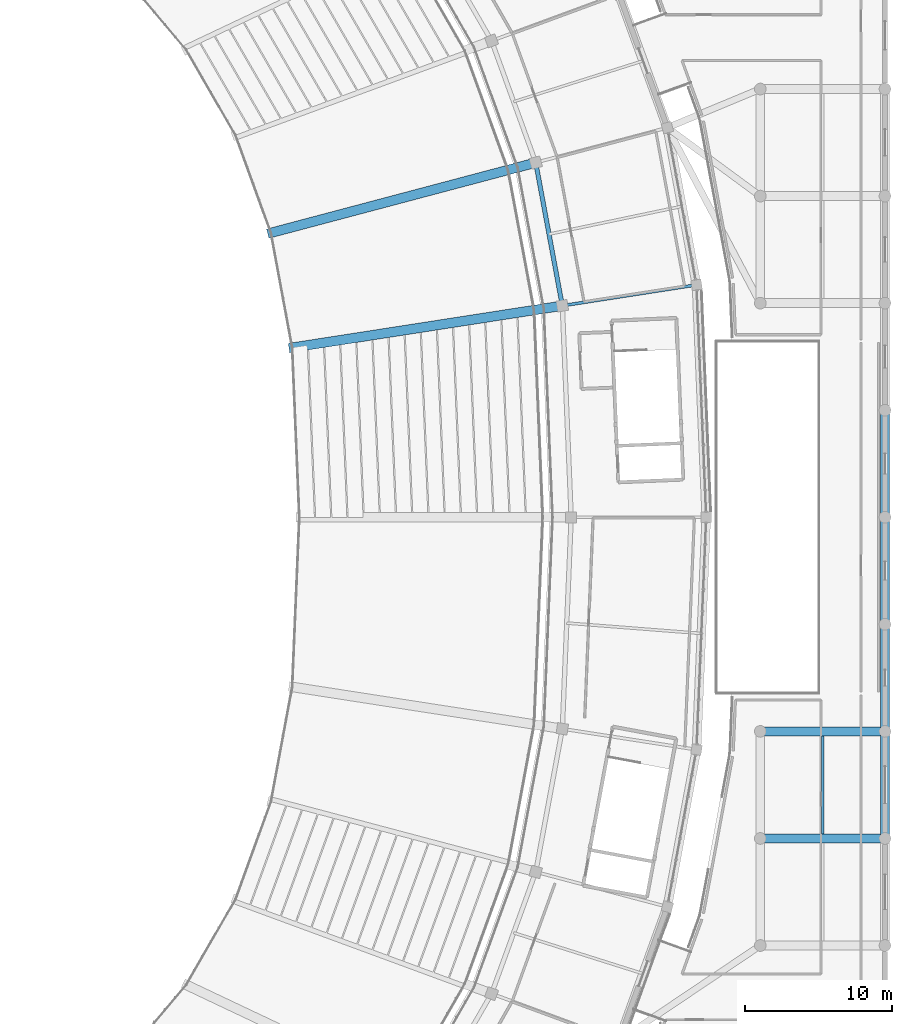
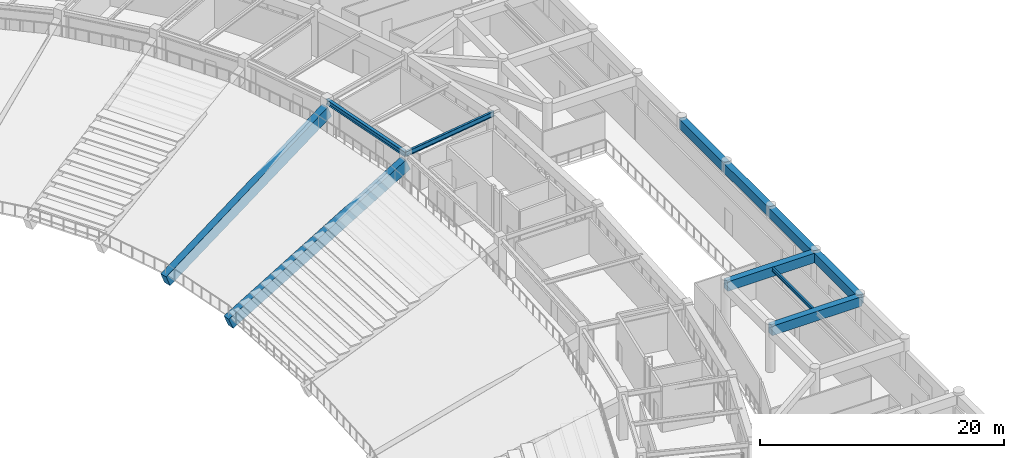
# One storey, part 47 of 137: 11 beams.
"""IFC4 building model written with IfcOpenShell, lengths in metres."""

import ifcopenshell
import ifcopenshell.guid

model = None  # the IFC model being written
_history = None  # IfcOwnerHistory: only IFC2X3 demands one
_inside = {}  # id of a spatial element -> (the spatial element, [elements in it])
_under = {}  # id of a project, library or spatial element -> (it, [spatial elements below it])
_declared = {}  # id of a project -> (the project, [libraries it declares])
_typed = {}  # id of a type object -> (the type object, [elements of that type])
_made_of = {}  # id of a material, layer set ... -> (it, [elements and type objects made of it])


def new_model(schema):
    """Start an empty IFC model of exactly this schema.

    Asked for "IFC4X3", IfcOpenShell would pick the latest addendum, in which some entities
    have other attributes; the version numbers below select the first issue.
    IFC2X3 requires an IfcOwnerHistory on every rooted entity: one is made here for all.
    """
    global model, _history
    if schema == "IFC4X3":
        model = ifcopenshell.file(schema_version=(4, 3, 0, 0))
    else:
        model = ifcopenshell.file(schema=schema)
    _inside.clear()
    _under.clear()
    _declared.clear()
    _typed.clear()
    _made_of.clear()
    _history = None
    if model.schema == "IFC2X3":
        org = make("IfcOrganization", Name="unknown")
        user = make(
            "IfcPersonAndOrganization",
            ThePerson=make("IfcPerson", FamilyName="unknown"),
            TheOrganization=org,
        )
        app = make(
            "IfcApplication",
            ApplicationDeveloper=org,
            Version="unknown",
            ApplicationFullName="unknown",
            ApplicationIdentifier="unknown",
        )
        _history = make(
            "IfcOwnerHistory",
            OwningUser=user,
            OwningApplication=app,
            ChangeAction="ADDED",
            CreationDate=0,
        )
    return model


def make(cls, **values):
    """One entity of the class cls with the attributes given. An attribute that is None is left unset."""
    return model.create_entity(
        cls, **{name: value for name, value in values.items() if value is not None}
    )


def rooted(cls, **values):
    """An entity with a GlobalId (a new one), such as an element, a storey or a relation."""
    return make(cls, GlobalId=ifcopenshell.guid.new(), OwnerHistory=_history, **values)


def si_unit(unit_type, name, prefix=None):
    """IfcSIUnit, for example si_unit("LENGTHUNIT", "METRE", prefix="MILLI")."""
    return make("IfcSIUnit", UnitType=unit_type, Prefix=prefix, Name=name)


def assignment(units):
    """IfcUnitAssignment: the units of a project."""
    return None if units is None else make("IfcUnitAssignment", Units=units)


def point(xyz):
    """IfcCartesianPoint."""
    return None if xyz is None else make("IfcCartesianPoint", Coordinates=xyz)


def direction(xyz):
    """IfcDirection."""
    return None if xyz is None else make("IfcDirection", DirectionRatios=xyz)


def frame(location, z_axis=None, x_axis=None):
    """IfcAxis2Placement3D, a coordinate frame: its origin and axes. An axis left out is left unset."""
    return make(
        "IfcAxis2Placement3D",
        Location=point(location),
        Axis=direction(z_axis),
        RefDirection=direction(x_axis),
    )


def frame_2d(location, x_axis=None):
    """IfcAxis2Placement2D, a coordinate frame in the plane: its origin and x axis."""
    return make(
        "IfcAxis2Placement2D", Location=point(location), RefDirection=direction(x_axis)
    )


def origin():
    """The frame at (0, 0, 0) with its axes left unset."""
    return frame((0.0, 0.0, 0.0))


def origin_2d():
    """The frame at (0, 0) in the plane with its x axis left unset."""
    return frame_2d((0.0, 0.0))


def place(relative_to, where):
    """IfcLocalPlacement: puts the frame where relative to a parent placement (None: the world)."""
    return make(
        "IfcLocalPlacement", PlacementRelTo=relative_to, RelativePlacement=where
    )


def context(
    kind, dimensions, precision=None, world=None, true_north=None, identifier=None
):
    """IfcGeometricRepresentationContext, for example the 3D "Model" context."""
    return make(
        "IfcGeometricRepresentationContext",
        ContextIdentifier=identifier,
        ContextType=kind,
        CoordinateSpaceDimension=dimensions,
        Precision=precision,
        WorldCoordinateSystem=world,
        TrueNorth=true_north,
    )


def subcontext(parent, identifier, kind, view, scale=None):
    """IfcGeometricRepresentationSubContext, for example "Body" below "Model"."""
    return make(
        "IfcGeometricRepresentationSubContext",
        ContextIdentifier=identifier,
        ContextType=kind,
        ParentContext=parent,
        TargetScale=scale,
        TargetView=view,
    )


def project(units=None, contexts=None):
    """IfcProject with its units and contexts."""
    return rooted(
        "IfcProject",
        Name="project",
        RepresentationContexts=contexts,
        UnitsInContext=assignment(units),
    )


def spatial(cls, under=None, at=None, **own):
    """A site, building, storey or space (cls), placed at a placement, below another one or the project."""
    s = rooted(cls, ObjectPlacement=at, **own)
    if under is not None:
        _under.setdefault(under.id(), (under, []))[1].append(s)
    return s


def profile(cls, at=None, kind="AREA", **sizes):
    """A parametric profile (cls). Its sizes go by their IFC names, for example OverallWidth=200.0."""
    return make(cls, ProfileType=kind, Position=at, **sizes)


def rectangle(**sizes):
    """IfcRectangleProfileDef."""
    return profile("IfcRectangleProfileDef", **sizes)


def i_section(**sizes):
    """IfcIShapeProfileDef."""
    return profile("IfcIShapeProfileDef", **sizes)


def extrude(swept, where, along, depth):
    """IfcExtrudedAreaSolid: the profile swept, set in the frame where, extruded along a direction by depth."""
    return make(
        "IfcExtrudedAreaSolid",
        SweptArea=swept,
        Position=where,
        ExtrudedDirection=direction(along),
        Depth=depth,
    )


def shape(context_of_items, identifier, shape_type, items):
    """IfcShapeRepresentation: the items that make up one representation, for example the "Body"."""
    return make(
        "IfcShapeRepresentation",
        ContextOfItems=context_of_items,
        RepresentationIdentifier=identifier,
        RepresentationType=shape_type,
        Items=items,
    )


def material(Name=None, Category=None):
    """IfcMaterial."""
    return make("IfcMaterial", Name=Name, Category=Category)


def material_profile(
    of_material, cross_section, Name=None, Category=None, Priority=None
):
    """IfcMaterialProfile: a cross section and its material."""
    return make(
        "IfcMaterialProfile",
        Name=Name,
        Material=of_material,
        Profile=cross_section,
        Priority=Priority,
        Category=Category,
    )


def profile_set(profiles, Name=None, composite=None):
    """IfcMaterialProfileSet."""
    return make(
        "IfcMaterialProfileSet",
        Name=Name,
        MaterialProfiles=profiles,
        CompositeProfile=composite,
    )


def made_of(thing, what):
    """Note that an element or type object is made of a material, layer set ...; save() writes the relation."""
    if what is not None:
        _made_of.setdefault(what.id(), (what, []))[1].append(thing)
    return thing


def type_object(cls, material=None, **own):
    """A type object (cls), such as IfcWallType, which elements share."""
    return made_of(rooted(cls, **own), material)


def element(
    cls,
    number,
    at=None,
    inside=None,
    cuts=None,
    type_object=None,
    material=None,
    context=None,
    identifier="Body",
    shape_type=None,
    held_by="IfcProductDefinitionShape",
    body=None,
    shapes=None,
    **own,
):
    """One element of the class cls, such as IfcWall. Its Tag is "e" and its number.

    at: its placement. inside: the storey or other place that contains it. cuts: it is an
    opening in that element (IfcRelVoidsElement). A single representation is given by context,
    identifier, shape_type and body (its items); several are given by shapes. held_by: the class
    of the entity that holds the representations. save() writes the other relations.
    """
    e = rooted(cls, Tag="e%d" % number, ObjectPlacement=at, **own)
    if body is not None:
        shapes = [shape(context, identifier, shape_type, body)]
    if shapes is not None:
        e.Representation = make(held_by, Representations=shapes)
    if inside is not None:
        _inside.setdefault(inside.id(), (inside, []))[1].append(e)
    if cuts is not None:
        rooted(
            "IfcRelVoidsElement", RelatingBuildingElement=cuts, RelatedOpeningElement=e
        )
    if type_object is not None:
        _typed.setdefault(type_object.id(), (type_object, []))[1].append(e)
    return made_of(e, material)


def aggregate(whole, parts):
    """IfcRelAggregates: a whole, such as a stair, and the parts it consists of."""
    return rooted("IfcRelAggregates", RelatingObject=whole, RelatedObjects=parts)


def save(model, path):
    """Write the relations noted so far, then the file.

    IfcRelAggregates (storeys below a building ...), IfcRelContainedInSpatialStructure (elements
    in a storey), IfcRelDefinesByType, IfcRelAssociatesMaterial and IfcRelDeclares: one each for
    every whole, place, type object, material and project.
    """
    for whole, parts in _under.values():
        aggregate(whole, parts)
    for where, things in _inside.values():
        rooted(
            "IfcRelContainedInSpatialStructure",
            RelatedElements=things,
            RelatingStructure=where,
        )
    for kind, things in _typed.values():
        rooted("IfcRelDefinesByType", RelatedObjects=things, RelatingType=kind)
    for what, things in _made_of.values():
        rooted("IfcRelAssociatesMaterial", RelatedObjects=things, RelatingMaterial=what)
    for by, libraries in _declared.values():
        rooted("IfcRelDeclares", RelatingContext=by, RelatedDefinitions=libraries)
    model.write(path)


model = new_model("IFC4")

# Units and contexts
model_context = context("Model", 3, precision=1e-05, world=origin(), true_north=direction((0.0, 1.0)))
body_context = subcontext(model_context, "Body", "Model", "MODEL_VIEW")
ifc_project = project(units=[si_unit("LENGTHUNIT", "METRE"), si_unit("AREAUNIT", "SQUARE_METRE"), si_unit("VOLUMEUNIT", "CUBIC_METRE"), si_unit("PLANEANGLEUNIT", "RADIAN"), si_unit("MASSUNIT", "GRAM", prefix="KILO")], contexts=[model_context])

# Site, building, storey
site_placement = place(None, origin())
site = spatial("IfcSite", under=ifc_project, at=site_placement, CompositionType="ELEMENT")
building_placement = place(site_placement, origin())
building = spatial("IfcBuilding", under=site, at=building_placement, Name="Mphavela Belvedere Stadium", CompositionType="ELEMENT")
storey_placement = place(building_placement, frame((0.0, 0.0, 19.199951171875)))
storey = spatial("IfcBuildingStorey", under=building, at=storey_placement, Name="L04", CompositionType="ELEMENT", Elevation=19.199951171875)

# Beams
ifc_material_1 = material(Name="Concrete C40/50", Category="concrete")
ifc_material_profile_1 = material_profile(ifc_material_1, rectangle(XDim=0.60009765625, YDim=0.949951171875, at=origin_2d()), Name="RC 600x950")
ifc_profile_set_1 = profile_set([ifc_material_profile_1], Name="Concrete C40/50")
beam_type_1 = type_object("IfcBeamType", Name="BM-ENTABLATURE-950", PredefinedType="SPANDREL", material=ifc_profile_set_1)
for number, where, z_axis, x_axis, name in (
    (1, (221.5, 65.10009765625, 4.06494140625), (1.0, 0.0, 0.0), (0.0, 1.0, 0.0), "East Planted Eaves Peristyle Colonnade entablature beam X L04 8-3"),
    (2, (221.5, 72.39990234375, 4.06494140625), (1.0, 0.0, 0.0), (0.0, 1.0, 0.0), "East Planted Eaves Peristyle Colonnade entablature beam X L04 8-4"),
):
    element("IfcBeam", number, at=place(storey_placement, frame(where, z_axis=z_axis, x_axis=x_axis)), inside=storey, type_object=beam_type_1, Name=name, PredefinedType="SPANDREL", context=body_context, shape_type="SweptSolid", body=[
        extrude(rectangle(XDim=0.60009765625, YDim=0.949951171875, at=origin_2d()), origin(), (0.0, 0.0, 1.0), 8.5),
    ])
beam_1_placement = place(storey_placement, frame((230.0, 65.10009765625, 4.06494140625), z_axis=(0.0, 1.0, 0.0), x_axis=(-1.0, 0.0, 0.0)))
element("IfcBeam", 3, at=beam_1_placement, inside=storey, type_object=beam_type_1, Name="East Planted Eaves Peristyle Colonnade entablature beam Y L04 9-3", PredefinedType="SPANDREL", context=body_context, shape_type="SweptSolid", body=[
    extrude(rectangle(XDim=0.60009765625, YDim=0.949951171875, at=origin_2d()), origin(), (0.0, 0.0, 1.0), 7.2998046875),
])
for number, where, z_axis, x_axis, name in (
    (4, (230.0, 72.39990234375, 4.06494140625), (0.0, 1.0, 0.0), (-1.0, 0.0, 0.0), "East Planted Eaves Peristyle Colonnade entablature beam Y L04 9-4"),
    (5, (230.0, 79.699951171875, 4.06494140625), (0.0, 1.0, 0.0), (-1.0, 0.0, 0.0), "East Planted Eaves Peristyle Colonnade entablature beam Y L04 9-5"),
    (6, (230.0, 87.0, 4.06494140625), (0.0, 1.0, 0.0), (-1.0, 0.0, 0.0), "East Planted Eaves Peristyle Colonnade entablature beam Y L04 9-6"),
):
    element("IfcBeam", number, at=place(storey_placement, frame(where, z_axis=z_axis, x_axis=x_axis)), inside=storey, type_object=beam_type_1, Name=name, PredefinedType="SPANDREL", context=body_context, shape_type="SweptSolid", body=[
        extrude(rectangle(XDim=0.60009765625, YDim=0.949951171875, at=origin_2d()), origin(), (0.0, 0.0, 1.0), 7.300048828125),
    ])
ifc_material_2 = material(Name="Steel S355", Category="steel")
ifc_material_profile_2 = material_profile(ifc_material_2, i_section(OverallWidth=0.169921875, OverallDepth=0.360107421875, WebThickness=0.008056640625, FlangeThickness=0.0126953125, at=origin_2d()), Name="IPE 360")
ifc_profile_set_2 = profile_set([ifc_material_profile_2], Name="Steel S355")
beam_type_2 = type_object("IfcBeamType", Name="BM-JOIST-IPE360", PredefinedType="JOIST", material=ifc_profile_set_2)
beam_2_placement = place(storey_placement, frame((225.75, 65.39990234375, 4.360107421875), z_axis=(0.0, 1.0, 0.0), x_axis=(-1.0, 0.0, 0.0)))
element("IfcBeam", 7, at=beam_2_placement, inside=storey, type_object=beam_type_2, Name="East Planted Eaves Peristyle Colonnade secondary joist L04 8-3", PredefinedType="JOIST", context=body_context, shape_type="SweptSolid", body=[
    extrude(i_section(OverallWidth=0.169921875, OverallDepth=0.360107421875, WebThickness=0.008056640625, FlangeThickness=0.0126953125, at=origin_2d()), origin(), (0.0, 0.0, 1.0), 6.7001953125),
])
ifc_material_3 = material(Name="Precast concrete C45/55", Category="concrete")
ifc_material_profile_3 = material_profile(ifc_material_3, rectangle(XDim=0.64990234375, YDim=1.199951171875, at=origin_2d()), Name="PC 650x1200")
ifc_profile_set_3 = profile_set([ifc_material_profile_3], Name="Precast concrete C45/55")
beam_type_3 = type_object("IfcBeamType", Name="BM-RAKER-UPPER", PredefinedType="USERDEFINED", material=ifc_profile_set_3)
beam_3_placement = place(storey_placement, frame((189.5927734375, 98.56982421875, -4.349853515625), z_axis=(0.912368182234, 0.141509277986, 0.38413464344), x_axis=(-0.153268482759, 0.98818458407, 0.0)))
element("IfcBeam", 8, at=beam_3_placement, inside=storey, type_object=beam_type_3, Name="Upper tier precast cantilever raker beam RK-U-02", ObjectType="RAKER BEAM", PredefinedType="USERDEFINED", context=body_context, shape_type="SweptSolid", body=[
    extrude(rectangle(XDim=0.64990234375, YDim=1.199951171875, at=origin_2d()), origin(), (0.0, 0.0, 1.0), 20.17529296875),
])
beam_4_placement = place(storey_placement, frame((188.13916015625, 106.3955078125, -4.349853515625), z_axis=(0.892744637737, 0.236753762179, 0.383346668024), x_axis=(-0.256336726267, 0.96658754532, 0.0)))
element("IfcBeam", 9, at=beam_4_placement, inside=storey, type_object=beam_type_3, Name="Upper tier precast cantilever raker beam RK-U-03", ObjectType="RAKER BEAM", PredefinedType="USERDEFINED", context=body_context, shape_type="SweptSolid", body=[
    extrude(rectangle(XDim=0.64990234375, YDim=1.199951171875, at=origin_2d()), origin(), (0.0, 0.0, 1.0), 20.216796875),
])
ifc_material_4 = material(Name="Steel S355", Category="steel")
ifc_material_profile_4 = material_profile(ifc_material_4, i_section(OverallWidth=0.300048828125, OverallDepth=0.489990234375, WebThickness=0.011962890625, FlangeThickness=0.02294921875, at=origin_2d()), Name="HEA 500")
ifc_profile_set_4 = profile_set([ifc_material_profile_4], Name="Steel S355")
beam_type_4 = type_object("IfcBeamType", Name="BM-STEEL-HEA500", PredefinedType="BEAM", material=ifc_profile_set_4)
beam_5_placement = place(storey_placement, frame((208.0, 101.4248046875, 4.304931640625), z_axis=(-0.182638056683, 0.983180217585, 0.0), x_axis=(-0.983180217585, -0.182638056683, 0.0)))
element("IfcBeam", 10, at=beam_5_placement, inside=storey, type_object=beam_type_4, Name="Circumferential girder L04 R3-02", PredefinedType="BEAM", context=body_context, shape_type="SweptSolid", body=[
    extrude(i_section(OverallWidth=0.300048828125, OverallDepth=0.489990234375, WebThickness=0.011962890625, FlangeThickness=0.02294921875, at=origin_2d()), origin(), (0.0, 0.0, 1.0), 9.924072265625),
])
ifc_material_5 = material(Name="Steel S355", Category="steel")
ifc_material_profile_5 = material_profile(ifc_material_5, i_section(OverallWidth=0.199951171875, OverallDepth=0.5, WebThickness=0.01025390625, FlangeThickness=0.01611328125, at=origin_2d()), Name="IPE 500")
ifc_profile_set_5 = profile_set([ifc_material_profile_5], Name="Steel S355")
beam_type_5 = type_object("IfcBeamType", Name="BM-STEEL-IPE500", PredefinedType="BEAM", material=ifc_profile_set_5)
beam_6_placement = place(storey_placement, frame((208.0, 101.4248046875, 4.300048828125), z_axis=(0.988182369303, 0.153282761586, 0.0), x_axis=(-0.153282761586, 0.988182369303, 0.0)))
element("IfcBeam", 11, at=beam_6_placement, inside=storey, type_object=beam_type_5, Name="Radial concourse girder L04 R3R4-02", PredefinedType="BEAM", context=body_context, shape_type="SweptSolid", body=[
    extrude(i_section(OverallWidth=0.199951171875, OverallDepth=0.5, WebThickness=0.01025390625, FlangeThickness=0.01611328125, at=origin_2d()), origin(), (0.0, 0.0, 1.0), 9.264892578125),
])

save(model, "model.ifc")
